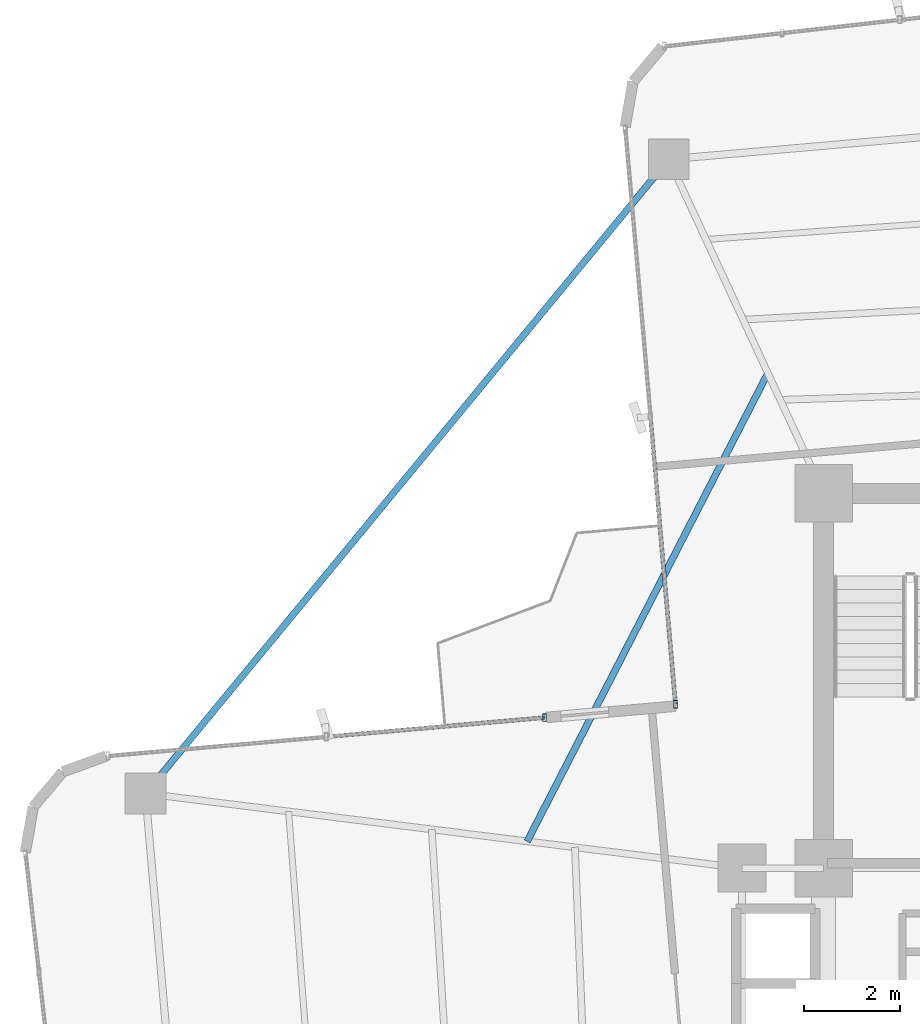
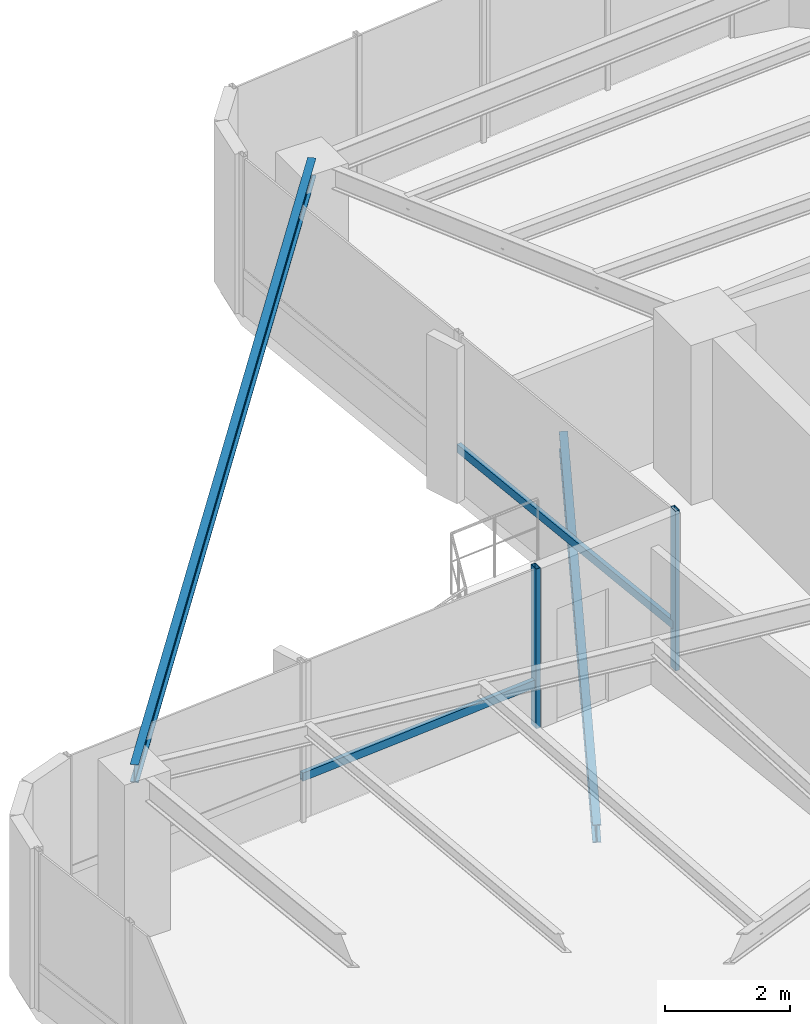
# One storey, part 10 of 24: 4 members, 2 beams, 2 elements without a shape of their own.
"""IFC4 building model written with IfcOpenShell, lengths in metres."""

from ifc_helpers import new_model, si_unit, direction, frame, origin, origin_2d, place, context, subcontext, project, spatial, hollow_rectangle, i_section, extrude, source, transform, mapped, material, material_profile, profile_set, type_object, element, aggregate, save


model = new_model("IFC4")

# Units and contexts
model_context = context("Model", 3, precision=1e-05, world=origin(), true_north=direction((0.0, 1.0)))
body_context = subcontext(model_context, "Body", "Model", "MODEL_VIEW")
ifc_project = project(units=[si_unit("LENGTHUNIT", "METRE"), si_unit("AREAUNIT", "SQUARE_METRE"), si_unit("VOLUMEUNIT", "CUBIC_METRE"), si_unit("PLANEANGLEUNIT", "RADIAN"), si_unit("MASSUNIT", "GRAM", prefix="KILO")], contexts=[model_context])

# Site, building, storey
site_placement = place(None, origin())
site = spatial("IfcSite", under=ifc_project, at=site_placement, CompositionType="ELEMENT")
building_placement = place(site_placement, origin())
building = spatial("IfcBuilding", under=site, at=building_placement, Name="Sahyath Konkavel Grand Hotel", CompositionType="ELEMENT")
storey_placement = place(building_placement, frame((0.0, 0.0, 185.25)))
storey = spatial("IfcBuildingStorey", under=building, at=storey_placement, Name="L51", CompositionType="ELEMENT", Elevation=185.25)

# Beam
ifc_material_1 = material(Name="Steel E350", Category="steel")
ifc_material_profile_1 = material_profile(ifc_material_1, i_section(OverallWidth=0.139892578125, OverallDepth=0.35009765625, WebThickness=0.008056640625, FlangeThickness=0.01416015625, FilletRadius=0.013916015625, at=origin_2d()), Name="ISMB 350")
ifc_profile_set_1 = profile_set([ifc_material_profile_1], Name="Steel E350")
beam_type_1 = type_object("IfcBeamType", Name="BM-ISMB350", PredefinedType="BEAM", material=ifc_profile_set_1)
shared_shape_1 = source(origin(), body_context, "Body", "SweptSolid", [
    extrude(i_section(OverallWidth=0.139892578125, OverallDepth=0.35009765625, WebThickness=0.008056640625, FlangeThickness=0.01416015625, FilletRadius=0.013916015625, at=origin_2d()), origin(), (0.0, 0.0, 1.0), 17.112548828125),
])
beam_1_placement = place(storey_placement, frame((-7.021728515625, 17.1533203125, 2.93505859375), z_axis=(-0.636437070092, -0.77132863023, 0.0), x_axis=(0.77132863023, -0.636437070092, 0.0)))
element("IfcBeam", 1, at=beam_1_placement, inside=storey, type_object=beam_type_1, Name="L51 Re-Entrant Tie Beam NW", PredefinedType="BEAM", context=body_context, shape_type="MappedRepresentation", body=[
    mapped(shared_shape_1, transform((0.0, 0.0, 0.0), scale=1.0)),
])

# Curtain wall, member
ifc_material_2 = material(Name="Anodised Bronze Aluminium & Low-E Glazing", Category="aluminium")
curtain_wall_type = type_object("IfcCurtainWallType", Name="CW-ZONE3", PredefinedType="NOTDEFINED", material=ifc_material_2)
curtain_wall_1_placement = place(storey_placement, origin())
curtain_wall_1 = element("IfcCurtainWall", 2, at=curtain_wall_1_placement, inside=storey, type_object=curtain_wall_type, Name="L51 Unitised Curtain Wall F15", PredefinedType="NOTDEFINED")
ifc_material_3 = material(Name="Anodised Bronze Aluminium", Category="aluminium")
ifc_material_profile_2 = material_profile(ifc_material_3, hollow_rectangle(XDim=0.080078125, YDim=0.159912109375, WallThickness=0.006103515625, at=origin_2d()), Name="RHS 160x80x6")
ifc_profile_set_2 = profile_set([ifc_material_profile_2], Name="Anodised Bronze Aluminium")
member_type_1 = type_object("IfcMemberType", Name="CW-MUL-160", PredefinedType="MULLION", material=ifc_profile_set_2)
shared_shape_2 = source(origin(), body_context, "Body", "SweptSolid", [
    extrude(hollow_rectangle(XDim=0.080078125, YDim=0.159912109375, WallThickness=0.006103515625, at=origin_2d()), origin(), (0.0, 0.0, 1.0), 3.110107421875),
])
member_1_placement = place(storey_placement, frame((-6.8828125, 5.812255859375, 0.0), z_axis=(0.0, 0.0, 1.0), x_axis=(1.0, 0.0, 0.0)))
member_1 = element("IfcMember", 3, at=member_1_placement, type_object=member_type_1, Name="L51 Curtain Wall Mullion F15-2", PredefinedType="MULLION", context=body_context, shape_type="MappedRepresentation", body=[
    mapped(shared_shape_2, transform((0.0, 0.0, 0.0), scale=1.0)),
])

# Curtain wall, members
curtain_wall_2_placement = place(storey_placement, origin())
curtain_wall_2 = element("IfcCurtainWall", 4, at=curtain_wall_2_placement, inside=storey, type_object=curtain_wall_type, Name="L51 Unitised Curtain Wall F16", PredefinedType="NOTDEFINED")
member_2_placement = place(storey_placement, frame((-9.60888671875, 5.53369140625, 0.0), z_axis=(0.0, 0.0, 1.0), x_axis=(1.0, 0.0, 0.0)))
member_2 = element("IfcMember", 5, at=member_2_placement, type_object=member_type_1, Name="L51 Curtain Wall Mullion F16-0", PredefinedType="MULLION", context=body_context, shape_type="MappedRepresentation", body=[
    mapped(shared_shape_2, transform((0.0, 0.0, 0.0), scale=1.0)),
])
ifc_material_profile_3 = material_profile(ifc_material_3, hollow_rectangle(XDim=0.080078125, YDim=0.159912109375, WallThickness=0.006103515625, at=origin_2d()), Name="RHS 160x80x6")
ifc_profile_set_3 = profile_set([ifc_material_profile_3], Name="Anodised Bronze Aluminium")
member_type_2 = type_object("IfcMemberType", Name="CW-TRN-160", PredefinedType="USERDEFINED", material=ifc_profile_set_3)
shared_shape_3 = source(origin(), body_context, "Body", "SweptSolid", [
    extrude(hollow_rectangle(XDim=0.080078125, YDim=0.159912109375, WallThickness=0.006103515625, at=origin_2d()), origin(), (0.0, 0.0, 1.0), 4.56005859375),
])
member_3_placement = place(storey_placement, frame((-9.60888671875, 5.53369140625, 0.85009765625), z_axis=(-0.996189590376, -0.087214104516, 0.0), x_axis=(0.087214104516, -0.996189590376, 0.0)))
member_3 = element("IfcMember", 6, at=member_3_placement, type_object=member_type_2, Name="L51 Curtain Wall Transom F16-0-spandrel", ObjectType="TRANSOM", PredefinedType="USERDEFINED", context=body_context, shape_type="MappedRepresentation", body=[
    mapped(shared_shape_3, transform((0.0, 0.0, 0.0), scale=1.0)),
])
aggregate(curtain_wall_2, [member_2, member_3])

# Member
shared_shape_4 = source(origin(), body_context, "Body", "SweptSolid", [
    extrude(hollow_rectangle(XDim=0.080078125, YDim=0.159912109375, WallThickness=0.006103515625, at=origin_2d()), origin(), (0.0, 0.0, 1.0), 6.010009765625),
])
member_4_placement = place(storey_placement, frame((-7.406494140625, 11.79931640625, 0.85009765625), z_axis=(0.087136210597, -0.996196406741, 0.0), x_axis=(0.996196406741, 0.087136210597, 0.0)))
member_4 = element("IfcMember", 7, at=member_4_placement, type_object=member_type_2, Name="L51 Curtain Wall Transom F15-1-spandrel", ObjectType="TRANSOM", PredefinedType="USERDEFINED", context=body_context, shape_type="MappedRepresentation", body=[
    mapped(shared_shape_4, transform((0.0, 0.0, 0.0), scale=1.0)),
])

aggregate(curtain_wall_1, [member_1, member_4])

# Beam
ifc_material_profile_4 = material_profile(ifc_material_1, i_section(OverallWidth=0.139892578125, OverallDepth=0.35009765625, WebThickness=0.008056640625, FlangeThickness=0.01416015625, FilletRadius=0.013916015625, at=origin_2d()), Name="ISMB 350")
ifc_profile_set_4 = profile_set([ifc_material_profile_4], Name="Steel E350")
beam_type_2 = type_object("IfcBeamType", Name="BM-BALC-CANT", PredefinedType="BEAM", material=ifc_profile_set_4)
shared_shape_5 = source(origin(), body_context, "Body", "SweptSolid", [
    extrude(i_section(OverallWidth=0.139892578125, OverallDepth=0.35009765625, WebThickness=0.008056640625, FlangeThickness=0.01416015625, FilletRadius=0.013916015625, at=origin_2d()), origin(), (0.0, 0.0, 1.0), 10.95556640625),
])
beam_2_placement = place(storey_placement, frame((-4.959716796875, 12.703125, -0.4150390625), z_axis=(-0.457186878355, -0.889370652912, 0.0), x_axis=(0.889370652912, -0.457186878355, 0.0)))
element("IfcBeam", 8, at=beam_2_placement, inside=storey, type_object=beam_type_2, Name="L51 Balcony Cantilever Support Beam NW", PredefinedType="BEAM", context=body_context, shape_type="MappedRepresentation", body=[
    mapped(shared_shape_5, transform((0.0, 0.0, 0.0), scale=1.0)),
])

save(model, "model.ifc")
